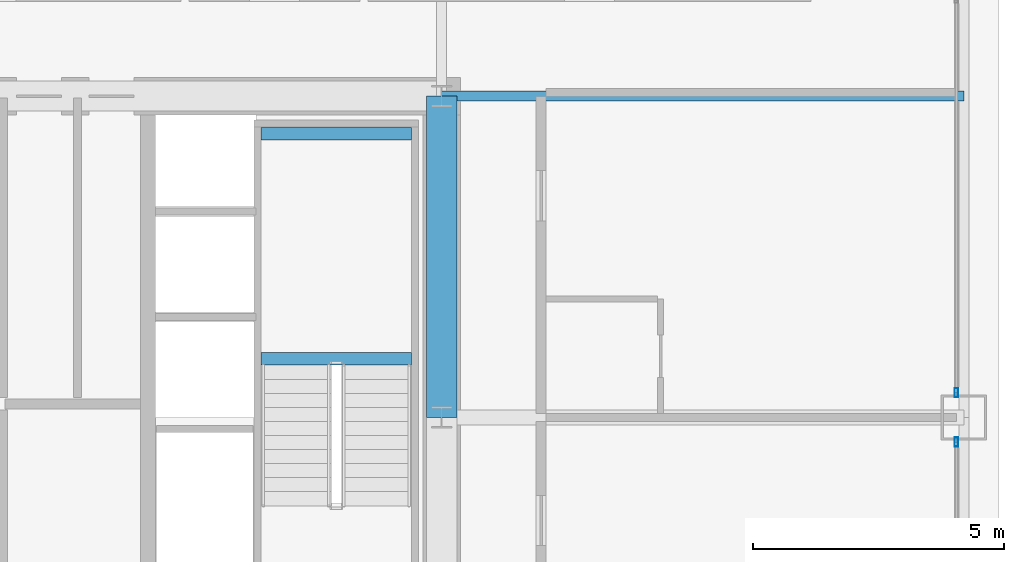
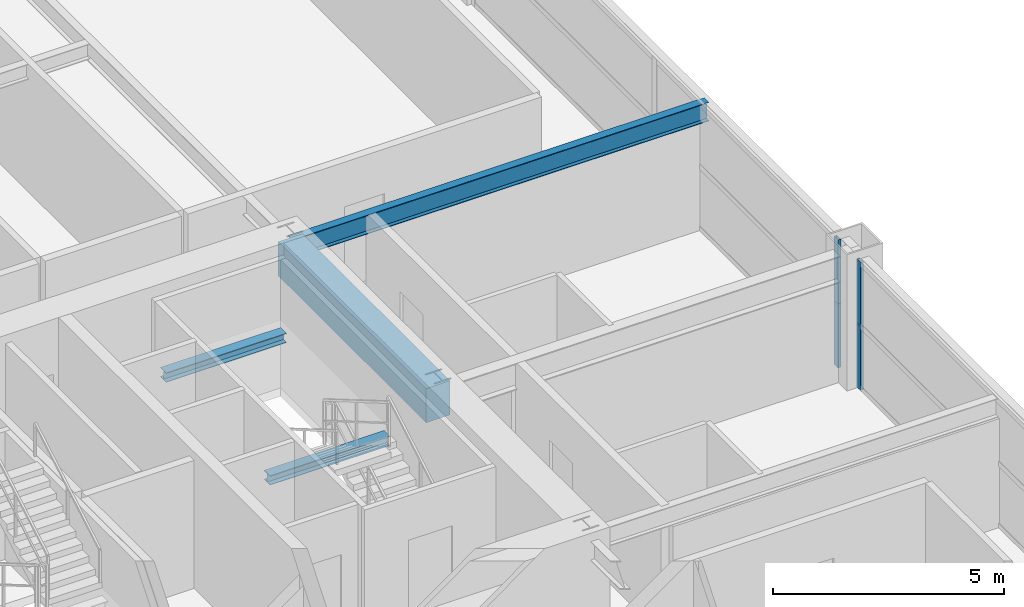
# One storey, part 19 of 38: 4 beams, 4 members, 2 elements without a shape of their own.
"""IFC4 building model written with IfcOpenShell, lengths in metres."""

from ifc_helpers import new_model, si_unit, direction, frame, origin, origin_2d, place, context, subcontext, project, spatial, rectangle, hollow_rectangle, i_section, extrude, source, transform, mapped, material, layer, layer_set, material_profile, profile_set, type_object, element, aggregate, save


model = new_model("IFC4")

# Units and contexts
model_context = context("Model", 3, precision=1e-05, world=origin(), true_north=direction((0.0, 1.0)))
body_context = subcontext(model_context, "Body", "Model", "MODEL_VIEW")
ifc_project = project(units=[si_unit("LENGTHUNIT", "METRE"), si_unit("AREAUNIT", "SQUARE_METRE"), si_unit("VOLUMEUNIT", "CUBIC_METRE"), si_unit("PLANEANGLEUNIT", "RADIAN"), si_unit("MASSUNIT", "GRAM", prefix="KILO"), si_unit("THERMODYNAMICTEMPERATUREUNIT", "KELVIN"), si_unit("POWERUNIT", "WATT")], contexts=[model_context])

# Site, building, storey
site_placement = place(None, origin())
site = spatial("IfcSite", under=ifc_project, at=site_placement, CompositionType="ELEMENT")
building_placement = place(site_placement, origin())
building = spatial("IfcBuilding", under=site, at=building_placement, Name="Yuzanri Waterfront Tower", CompositionType="ELEMENT")
storey_placement = place(building_placement, frame((0.0, 0.0, 119.0)))
storey = spatial("IfcBuildingStorey", under=building, at=storey_placement, Name="L31", CompositionType="ELEMENT", Elevation=119.0)

# Beams
ifc_material_1 = material(Name="Concrete C60", Category="concrete")
ifc_material_profile_1 = material_profile(ifc_material_1, rectangle(XDim=0.60009765625, YDim=0.89990234375, at=origin_2d()), Name="RC 600x900")
ifc_profile_set_1 = profile_set([ifc_material_profile_1], Name="Concrete C60")
beam_type_1 = type_object("IfcBeamType", Name="Core Coupling Lintel Concrete C60 600x900", PredefinedType="LINTEL", material=ifc_profile_set_1)
shared_shape_1 = source(origin(), body_context, "Body", "SweptSolid", [
    extrude(rectangle(XDim=0.60009765625, YDim=0.89990234375, at=origin_2d()), origin(), (0.0, 0.0, 1.0), 6.39990234375),
])
beam_1_placement = place(storey_placement, frame((50.199951171875, 25.800048828125, 2.929931640625), z_axis=(0.0, 1.0, 0.0), x_axis=(-1.0, 0.0, 0.0)))
element("IfcBeam", 1, at=beam_1_placement, inside=storey, type_object=beam_type_1, Name="L31 Core Tie Beam CE2", PredefinedType="LINTEL", context=body_context, shape_type="MappedRepresentation", body=[
    mapped(shared_shape_1, transform((0.0, 0.0, 0.0), scale=1.0)),
])
ifc_material_2 = material(Name="Steel Q355B", Category="steel")
ifc_material_profile_2 = material_profile(ifc_material_2, i_section(OverallWidth=0.199951171875, OverallDepth=0.5, WebThickness=0.010009765625, FlangeThickness=0.01611328125, at=origin_2d()), Name="HN 500x200x10x16")
ifc_profile_set_2 = profile_set([ifc_material_profile_2], Name="Steel Q355B")
beam_type_2 = type_object("IfcBeamType", Name="Secondary Floor Beam Q355B HN 500x200", PredefinedType="BEAM", material=ifc_profile_set_2)
shared_shape_2 = source(origin(), body_context, "Body", "SweptSolid", [
    extrude(i_section(OverallWidth=0.199951171875, OverallDepth=0.5, WebThickness=0.010009765625, FlangeThickness=0.01611328125, at=origin_2d()), origin(), (0.0, 0.0, 1.0), 10.400146484375),
])
beam_2_placement = place(storey_placement, frame((50.199951171875, 32.199951171875, 3.1298828125), z_axis=(1.0, 0.0, 0.0), x_axis=(0.0, 1.0, 0.0)))
element("IfcBeam", 2, at=beam_2_placement, inside=storey, type_object=beam_type_2, Name="L31 East-North Core Line Beam", PredefinedType="BEAM", context=body_context, shape_type="MappedRepresentation", body=[
    mapped(shared_shape_2, transform((0.0, 0.0, 0.0), scale=1.0)),
])

# Curtain wall, members
ifc_material_3 = material(Name="Anodized Architectural Bronze", Category="metal")
ifc_layer = layer(ifc_material_3, 0.159912109375)
ifc_layer_set = layer_set([ifc_layer], Name="Anodized Architectural Bronze")
curtain_wall_type = type_object("IfcCurtainWallType", Name="Anodized Bronze Hotel Upper-Tier Solar-Control Unitized Curtain Wall 7800", PredefinedType="NOTDEFINED", material=ifc_layer_set)
curtain_wall_1_placement = place(storey_placement, origin())
curtain_wall_1 = element("IfcCurtainWall", 3, at=curtain_wall_1_placement, inside=storey, type_object=curtain_wall_type, Name="L31 Curtain Wall CW-L31-EL", PredefinedType="NOTDEFINED")
ifc_material_4 = material(Name="Anodized Architectural Bronze", Category="metal")
ifc_material_profile_3 = material_profile(ifc_material_4, hollow_rectangle(XDim=0.070068359375, YDim=0.179931640625, WallThickness=0.00390625, at=origin_2d()), Name="CWM 70x180")
ifc_profile_set_3 = profile_set([ifc_material_profile_3], Name="Anodized Architectural Bronze")
member_type = type_object("IfcMemberType", Name="Anodized Bronze Standard Curtain-Wall Mullion 70x180", PredefinedType="MULLION", material=ifc_profile_set_3)
shared_shape_3 = source(origin(), body_context, "Body", "SweptSolid", [
    extrude(hollow_rectangle(XDim=0.070068359375, YDim=0.179931640625, WallThickness=0.00390625, at=origin_2d()), origin(), (0.0, 0.0, 1.0), 1.68798828125),
])
member_1_placement = place(storey_placement, frame((60.449951171875, 25.31005859375, 0.0), z_axis=(0.0, 0.0, 1.0), x_axis=(1.0, 0.0, 0.0)))
member_1 = element("IfcMember", 4, at=member_1_placement, type_object=member_type, Name="CW-L31-EL Lower Mullion 02", PredefinedType="MULLION", context=body_context, shape_type="MappedRepresentation", body=[
    mapped(shared_shape_3, transform((0.0, 0.0, 0.0), scale=1.0)),
])
member_2_placement = place(storey_placement, frame((60.449951171875, 25.31005859375, 1.69189453125), z_axis=(0.0, 0.0, 1.0), x_axis=(1.0, 0.0, 0.0)))
member_2 = element("IfcMember", 5, at=member_2_placement, type_object=member_type, Name="CW-L31-EL Upper Mullion 02", PredefinedType="MULLION", context=body_context, shape_type="MappedRepresentation", body=[
    mapped(shared_shape_3, transform((0.0, 0.0, 0.0), scale=1.0)),
])
aggregate(curtain_wall_1, [member_1, member_2])

curtain_wall_2_placement = place(storey_placement, origin())
curtain_wall_2 = element("IfcCurtainWall", 6, at=curtain_wall_2_placement, inside=storey, type_object=curtain_wall_type, Name="L31 Curtain Wall CW-L31-ER", PredefinedType="NOTDEFINED")
member_3_placement = place(storey_placement, frame((60.449951171875, 26.2900390625, 0.0), z_axis=(0.0, 0.0, 1.0), x_axis=(1.0, 0.0, 0.0)))
member_3 = element("IfcMember", 7, at=member_3_placement, type_object=member_type, Name="CW-L31-ER Lower Mullion 00", PredefinedType="MULLION", context=body_context, shape_type="MappedRepresentation", body=[
    mapped(shared_shape_3, transform((0.0, 0.0, 0.0), scale=1.0)),
])
member_4_placement = place(storey_placement, frame((60.449951171875, 26.2900390625, 1.69189453125), z_axis=(0.0, 0.0, 1.0), x_axis=(1.0, 0.0, 0.0)))
member_4 = element("IfcMember", 8, at=member_4_placement, type_object=member_type, Name="CW-L31-ER Upper Mullion 00", PredefinedType="MULLION", context=body_context, shape_type="MappedRepresentation", body=[
    mapped(shared_shape_3, transform((0.0, 0.0, 0.0), scale=1.0)),
])
aggregate(curtain_wall_2, [member_3, member_4])

# Beams
ifc_material_5 = material(Name="Steel Q355B", Category="steel")
ifc_material_profile_4 = material_profile(ifc_material_5, i_section(OverallWidth=0.25, OverallDepth=0.25, WebThickness=0.009033203125, FlangeThickness=0.013916015625, at=origin_2d()), Name="HW 250x250x9x14")
ifc_profile_set_4 = profile_set([ifc_material_profile_4], Name="Steel Q355B")
beam_type_3 = type_object("IfcBeamType", Name="Stair Landing Support Beam Q355B HW 250x250", PredefinedType="BEAM", material=ifc_profile_set_4)
shared_shape_4 = source(origin(), body_context, "Body", "SweptSolid", [
    extrude(i_section(OverallWidth=0.25, OverallDepth=0.25, WebThickness=0.009033203125, FlangeThickness=0.013916015625, at=origin_2d()), origin(), (0.0, 0.0, 1.0), 3.0),
])
for number, where, z_axis, x_axis, name in (
    (9, (46.60009765625, 26.969970703125, 1.47509765625), (1.0, 0.0, 0.0), (0.0, 1.0, 0.0), "L31 Stair Landing Support Beam ST-02-L31-L1-1"),
    (10, (46.60009765625, 31.449951171875, 1.47509765625), (1.0, 0.0, 0.0), (0.0, 1.0, 0.0), "L31 Stair Landing Support Beam ST-02-L31-L1-2"),
):
    element("IfcBeam", number, at=place(storey_placement, frame(where, z_axis=z_axis, x_axis=x_axis)), inside=storey, type_object=beam_type_3, Name=name, PredefinedType="BEAM", context=body_context, shape_type="MappedRepresentation", body=[
        mapped(shared_shape_4, transform((0.0, 0.0, 0.0), scale=1.0)),
    ])

save(model, "model.ifc")
